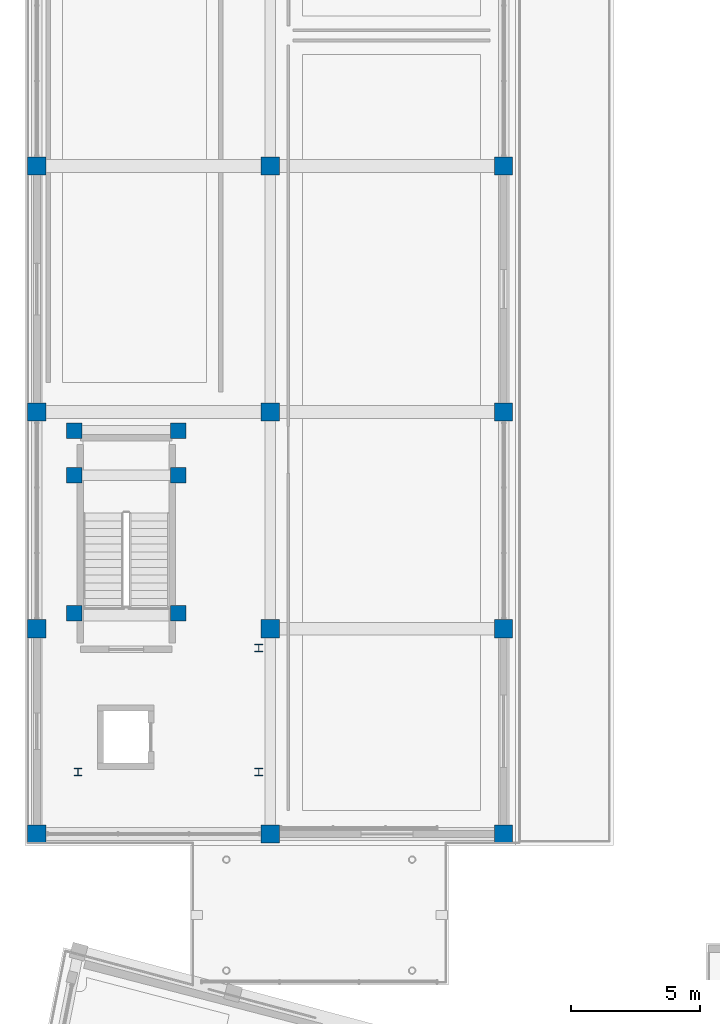
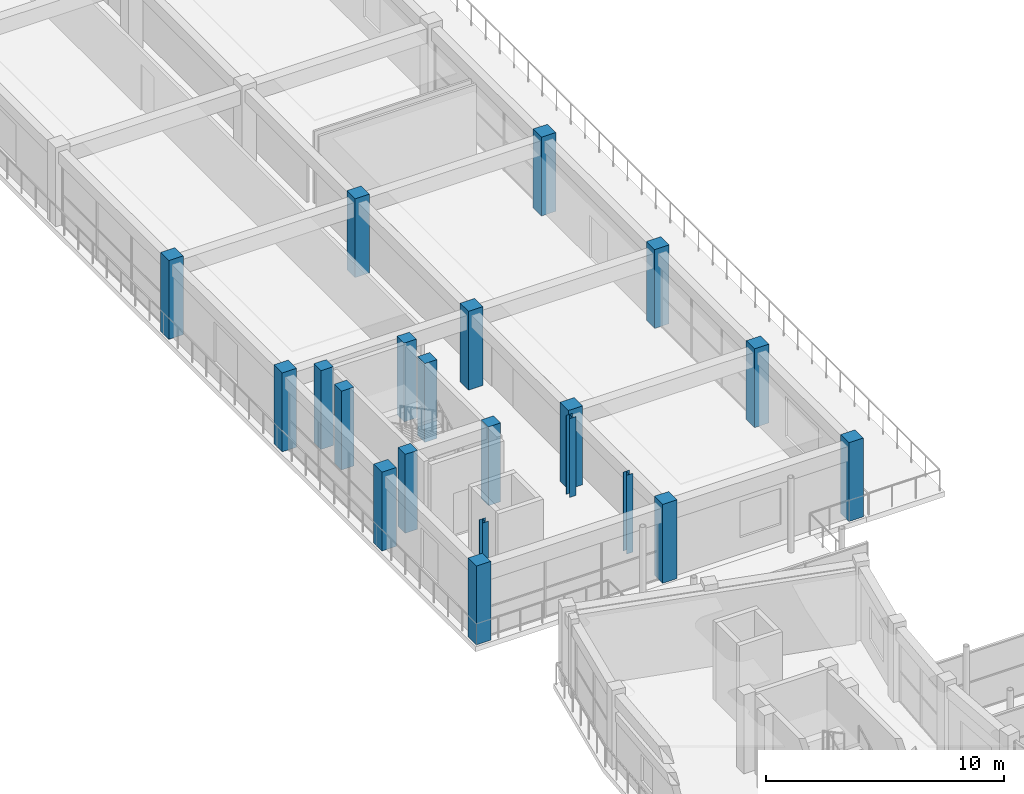
# One storey, part 9 of 70: 21 columns.
"""IFC4 building model written with IfcOpenShell, lengths in metres."""

from ifc_helpers import new_model, si_unit, direction, frame, origin, origin_2d, place, context, subcontext, project, spatial, rectangle, i_section, extrude, material, material_profile, profile_set, type_object, element, save


model = new_model("IFC4")

# Units and contexts
model_context = context("Model", 3, precision=1e-05, world=origin(), true_north=direction((0.0, 1.0)))
body_context = subcontext(model_context, "Body", "Model", "MODEL_VIEW")
ifc_project = project(units=[si_unit("LENGTHUNIT", "METRE"), si_unit("AREAUNIT", "SQUARE_METRE"), si_unit("VOLUMEUNIT", "CUBIC_METRE"), si_unit("PLANEANGLEUNIT", "RADIAN"), si_unit("MASSUNIT", "GRAM", prefix="KILO")], contexts=[model_context])

# Site, building, storey
site_placement = place(None, origin())
site = spatial("IfcSite", under=ifc_project, at=site_placement, CompositionType="ELEMENT")
building_placement = place(site_placement, origin())
building = spatial("IfcBuilding", under=site, at=building_placement, Name="Saryqyr Civic Hall", CompositionType="ELEMENT")
storey_placement = place(building_placement, frame((0.0, 0.0, 13.199951171875)))
storey = spatial("IfcBuildingStorey", under=building, at=storey_placement, Name="L03", CompositionType="ELEMENT", Elevation=13.199951171875)

# Columns
ifc_material_1 = material(Name="Steel S355", Category="steel")
ifc_material_profile_1 = material_profile(ifc_material_1, i_section(OverallWidth=0.300048828125, OverallDepth=0.2900390625, WebThickness=0.008544921875, FlangeThickness=0.013916015625, at=origin_2d()), Name="HEA 300")
ifc_profile_set_1 = profile_set([ifc_material_profile_1], Name="Steel S355")
column_type_1 = type_object("IfcColumnType", Name="STR-COL-HEA300-S355", PredefinedType="COLUMN", material=ifc_profile_set_1)
for number, where, z_axis, x_axis, name in (
    (1, (9.64990234375, 103.64990234375, 0.0), (0.0, 0.0, 1.0), (1.0, 0.0, 0.0), "Column RGV3-COL-1-L03"),
    (2, (16.64990234375, 103.64990234375, 0.0), (0.0, 0.0, 1.0), (1.0, 0.0, 0.0), "Column RGV3-COL-2-L03"),
    (3, (16.64990234375, 108.449951171875, 0.0), (0.0, 0.0, 1.0), (1.0, 0.0, 0.0), "Column RGV3-COL-3-L03"),
):
    element("IfcColumn", number, at=place(storey_placement, frame(where, z_axis=z_axis, x_axis=x_axis)), inside=storey, type_object=column_type_1, Name=name, PredefinedType="COLUMN", context=body_context, shape_type="SweptSolid", body=[
        extrude(i_section(OverallWidth=0.300048828125, OverallDepth=0.2900390625, WebThickness=0.008544921875, FlangeThickness=0.013916015625, at=origin_2d()), origin(), (0.0, 0.0, 1.0), 4.050048828125),
    ])
ifc_material_2 = material(Name="Concrete C40/50", Category="concrete")
ifc_material_profile_2 = material_profile(ifc_material_2, rectangle(XDim=0.60009765625, YDim=0.60009765625, at=origin_2d()), Name="RC 600x600")
ifc_profile_set_2 = profile_set([ifc_material_profile_2], Name="Concrete C40/50")
column_type_2 = type_object("IfcColumnType", Name="STR-COL-RC600-C40", PredefinedType="COLUMN", material=ifc_profile_set_2)
for number, where, z_axis, x_axis, name in (
    (4, (13.5400390625, 109.794921875, 0.0), (0.0, 0.0, 1.0), (1.0, 0.0, 0.0), "Column ST-3-SCOL-TRMA-L03"),
    (5, (9.5, 109.794921875, 0.0), (0.0, 0.0, 1.0), (1.0, 0.0, 0.0), "Column ST-3-SCOL-TRMB-L03"),
    (6, (13.5400390625, 115.14990234375, 0.0), (0.0, 0.0, 1.0), (1.0, 0.0, 0.0), "Column ST-3-SCOL-LND1A-L03"),
    (7, (9.5, 115.14990234375, 0.0), (0.0, 0.0, 1.0), (1.0, 0.0, 0.0), "Column ST-3-SCOL-LND1B-L03"),
    (8, (13.5400390625, 116.8798828125, 0.0), (0.0, 0.0, 1.0), (1.0, 0.0, 0.0), "Column ST-3-SCOL-LND2A-L03"),
    (9, (9.5, 116.8798828125, 0.0), (0.0, 0.0, 1.0), (1.0, 0.0, 0.0), "Column ST-3-SCOL-LND2B-L03"),
):
    element("IfcColumn", number, at=place(storey_placement, frame(where, z_axis=z_axis, x_axis=x_axis)), inside=storey, type_object=column_type_2, Name=name, PredefinedType="COLUMN", context=body_context, shape_type="SweptSolid", body=[
        extrude(rectangle(XDim=0.60009765625, YDim=0.60009765625, at=origin_2d()), origin(), (0.0, 0.0, 1.0), 4.050048828125),
    ])
ifc_material_profile_3 = material_profile(ifc_material_2, rectangle(XDim=0.699951171875, YDim=0.699951171875, at=origin_2d()), Name="RC 700x700")
ifc_profile_set_3 = profile_set([ifc_material_profile_3], Name="Concrete C40/50")
column_type_3 = type_object("IfcColumnType", Name="STR-COL-RC700-C40", PredefinedType="COLUMN", material=ifc_profile_set_3)
for number, where, z_axis, x_axis, name in (
    (10, (8.050048828125, 101.25, 0.0), (0.0, 0.0, 1.0), (1.0, 0.0, 0.0), "Column V3-COL-11-L03"),
    (11, (8.050048828125, 109.199951171875, 0.0), (0.0, 0.0, 1.0), (1.0, 0.0, 0.0), "Column V3-COL-12-L03"),
    (12, (8.050048828125, 117.60009765625, 0.0), (0.0, 0.0, 1.0), (1.0, 0.0, 0.0), "Column V3-COL-13-L03"),
    (13, (8.050048828125, 127.1298828125, 0.0), (0.0, 0.0, 1.0), (1.0, 0.0, 0.0), "Column V3-COL-14-L03"),
    (14, (17.10009765625, 101.25, 0.0), (0.0, 0.0, 1.0), (1.0, 0.0, 0.0), "Column V3-COL-21-L03"),
    (15, (17.10009765625, 109.199951171875, 0.0), (0.0, 0.0, 1.0), (1.0, 0.0, 0.0), "Column V3-COL-22-L03"),
    (16, (17.10009765625, 117.60009765625, 0.0), (0.0, 0.0, 1.0), (1.0, 0.0, 0.0), "Column V3-COL-23-L03"),
    (17, (17.10009765625, 127.1298828125, 0.0), (0.0, 0.0, 1.0), (1.0, 0.0, 0.0), "Column V3-COL-24-L03"),
    (18, (26.14990234375, 101.25, 0.0), (0.0, 0.0, 1.0), (1.0, 0.0, 0.0), "Column V3-COL-31-L03"),
    (19, (26.14990234375, 109.199951171875, 0.0), (0.0, 0.0, 1.0), (1.0, 0.0, 0.0), "Column V3-COL-32-L03"),
    (20, (26.14990234375, 117.60009765625, 0.0), (0.0, 0.0, 1.0), (1.0, 0.0, 0.0), "Column V3-COL-33-L03"),
    (21, (26.14990234375, 127.1298828125, 0.0), (0.0, 0.0, 1.0), (1.0, 0.0, 0.0), "Column V3-COL-34-L03"),
):
    element("IfcColumn", number, at=place(storey_placement, frame(where, z_axis=z_axis, x_axis=x_axis)), inside=storey, type_object=column_type_3, Name=name, PredefinedType="COLUMN", context=body_context, shape_type="SweptSolid", body=[
        extrude(rectangle(XDim=0.699951171875, YDim=0.699951171875, at=origin_2d()), origin(), (0.0, 0.0, 1.0), 4.050048828125),
    ])

save(model, "model.ifc")
